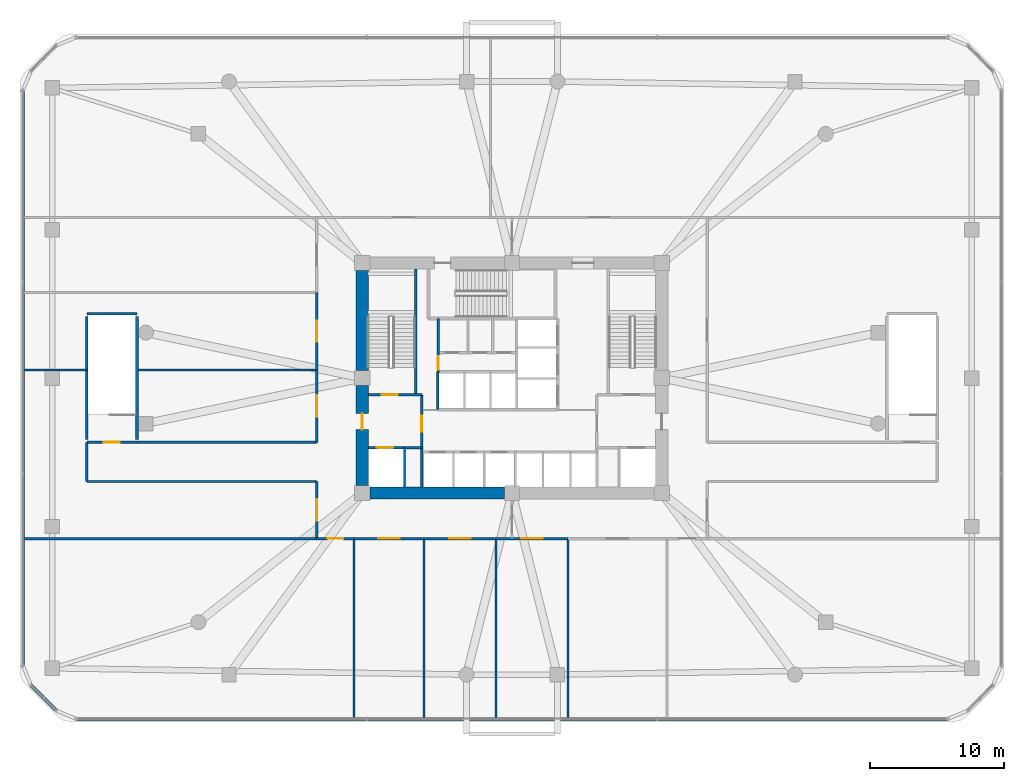
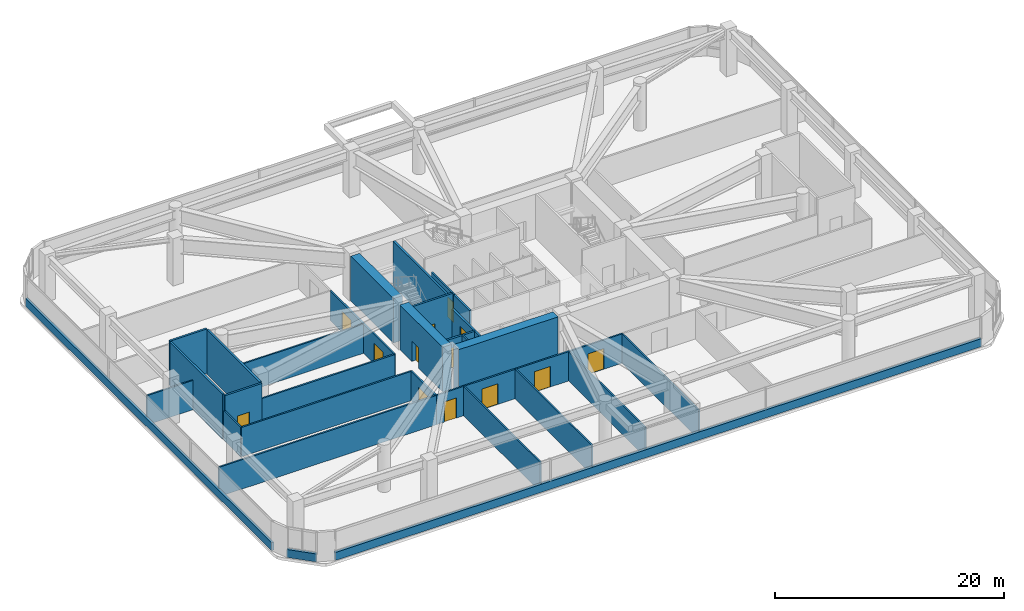
# One storey, part 16 of 21: 34 walls, 13 doors, 13 openings.
"""IFC4 building model written with IfcOpenShell, lengths in metres."""

import ifcopenshell
import ifcopenshell.guid

model = None  # the IFC model being written
_history = None  # IfcOwnerHistory: only IFC2X3 demands one
_inside = {}  # id of a spatial element -> (the spatial element, [elements in it])
_under = {}  # id of a project, library or spatial element -> (it, [spatial elements below it])
_declared = {}  # id of a project -> (the project, [libraries it declares])
_typed = {}  # id of a type object -> (the type object, [elements of that type])
_made_of = {}  # id of a material, layer set ... -> (it, [elements and type objects made of it])


def new_model(schema):
    """Start an empty IFC model of exactly this schema.

    Asked for "IFC4X3", IfcOpenShell would pick the latest addendum, in which some entities
    have other attributes; the version numbers below select the first issue.
    IFC2X3 requires an IfcOwnerHistory on every rooted entity: one is made here for all.
    """
    global model, _history
    if schema == "IFC4X3":
        model = ifcopenshell.file(schema_version=(4, 3, 0, 0))
    else:
        model = ifcopenshell.file(schema=schema)
    _inside.clear()
    _under.clear()
    _declared.clear()
    _typed.clear()
    _made_of.clear()
    _history = None
    if model.schema == "IFC2X3":
        org = make("IfcOrganization", Name="unknown")
        user = make(
            "IfcPersonAndOrganization",
            ThePerson=make("IfcPerson", FamilyName="unknown"),
            TheOrganization=org,
        )
        app = make(
            "IfcApplication",
            ApplicationDeveloper=org,
            Version="unknown",
            ApplicationFullName="unknown",
            ApplicationIdentifier="unknown",
        )
        _history = make(
            "IfcOwnerHistory",
            OwningUser=user,
            OwningApplication=app,
            ChangeAction="ADDED",
            CreationDate=0,
        )
    return model


def make(cls, **values):
    """One entity of the class cls with the attributes given. An attribute that is None is left unset."""
    return model.create_entity(
        cls, **{name: value for name, value in values.items() if value is not None}
    )


def rooted(cls, **values):
    """An entity with a GlobalId (a new one), such as an element, a storey or a relation."""
    return make(cls, GlobalId=ifcopenshell.guid.new(), OwnerHistory=_history, **values)


def si_unit(unit_type, name, prefix=None):
    """IfcSIUnit, for example si_unit("LENGTHUNIT", "METRE", prefix="MILLI")."""
    return make("IfcSIUnit", UnitType=unit_type, Prefix=prefix, Name=name)


def derived_unit(unit_type, elements):
    """IfcDerivedUnit: a product of units, each with its exponent."""
    return make(
        "IfcDerivedUnit",
        Elements=[
            make("IfcDerivedUnitElement", Unit=unit, Exponent=power)
            for unit, power in elements
        ],
        UnitType=unit_type,
    )


def assignment(units):
    """IfcUnitAssignment: the units of a project."""
    return None if units is None else make("IfcUnitAssignment", Units=units)


def point(xyz):
    """IfcCartesianPoint."""
    return None if xyz is None else make("IfcCartesianPoint", Coordinates=xyz)


def direction(xyz):
    """IfcDirection."""
    return None if xyz is None else make("IfcDirection", DirectionRatios=xyz)


def frame(location, z_axis=None, x_axis=None):
    """IfcAxis2Placement3D, a coordinate frame: its origin and axes. An axis left out is left unset."""
    return make(
        "IfcAxis2Placement3D",
        Location=point(location),
        Axis=direction(z_axis),
        RefDirection=direction(x_axis),
    )


def frame_2d(location, x_axis=None):
    """IfcAxis2Placement2D, a coordinate frame in the plane: its origin and x axis."""
    return make(
        "IfcAxis2Placement2D", Location=point(location), RefDirection=direction(x_axis)
    )


def origin():
    """The frame at (0, 0, 0) with its axes left unset."""
    return frame((0.0, 0.0, 0.0))


def place(relative_to, where):
    """IfcLocalPlacement: puts the frame where relative to a parent placement (None: the world)."""
    return make(
        "IfcLocalPlacement", PlacementRelTo=relative_to, RelativePlacement=where
    )


def context(
    kind, dimensions, precision=None, world=None, true_north=None, identifier=None
):
    """IfcGeometricRepresentationContext, for example the 3D "Model" context."""
    return make(
        "IfcGeometricRepresentationContext",
        ContextIdentifier=identifier,
        ContextType=kind,
        CoordinateSpaceDimension=dimensions,
        Precision=precision,
        WorldCoordinateSystem=world,
        TrueNorth=true_north,
    )


def subcontext(parent, identifier, kind, view, scale=None):
    """IfcGeometricRepresentationSubContext, for example "Body" below "Model"."""
    return make(
        "IfcGeometricRepresentationSubContext",
        ContextIdentifier=identifier,
        ContextType=kind,
        ParentContext=parent,
        TargetScale=scale,
        TargetView=view,
    )


def project(units=None, contexts=None):
    """IfcProject with its units and contexts."""
    return rooted(
        "IfcProject",
        Name="project",
        RepresentationContexts=contexts,
        UnitsInContext=assignment(units),
    )


def spatial(cls, under=None, at=None, **own):
    """A site, building, storey or space (cls), placed at a placement, below another one or the project."""
    s = rooted(cls, ObjectPlacement=at, **own)
    if under is not None:
        _under.setdefault(under.id(), (under, []))[1].append(s)
    return s


def profile(cls, at=None, kind="AREA", **sizes):
    """A parametric profile (cls). Its sizes go by their IFC names, for example OverallWidth=200.0."""
    return make(cls, ProfileType=kind, Position=at, **sizes)


def rectangle(**sizes):
    """IfcRectangleProfileDef."""
    return profile("IfcRectangleProfileDef", **sizes)


def extrude(swept, where, along, depth):
    """IfcExtrudedAreaSolid: the profile swept, set in the frame where, extruded along a direction by depth."""
    return make(
        "IfcExtrudedAreaSolid",
        SweptArea=swept,
        Position=where,
        ExtrudedDirection=direction(along),
        Depth=depth,
    )


def shape(context_of_items, identifier, shape_type, items):
    """IfcShapeRepresentation: the items that make up one representation, for example the "Body"."""
    return make(
        "IfcShapeRepresentation",
        ContextOfItems=context_of_items,
        RepresentationIdentifier=identifier,
        RepresentationType=shape_type,
        Items=items,
    )


def material(Name=None, Category=None):
    """IfcMaterial."""
    return make("IfcMaterial", Name=Name, Category=Category)


def layer(
    of_material, thickness, ventilated=None, Name=None, Category=None, Priority=None
):
    """IfcMaterialLayer: one layer of a wall or slab, of a material (None: an air gap)."""
    return make(
        "IfcMaterialLayer",
        Material=of_material,
        LayerThickness=thickness,
        IsVentilated=ventilated,
        Name=Name,
        Category=Category,
        Priority=Priority,
    )


def layer_set(layers, Name=None):
    """IfcMaterialLayerSet."""
    return make("IfcMaterialLayerSet", MaterialLayers=layers, LayerSetName=Name)


def made_of(thing, what):
    """Note that an element or type object is made of a material, layer set ...; save() writes the relation."""
    if what is not None:
        _made_of.setdefault(what.id(), (what, []))[1].append(thing)
    return thing


def type_object(cls, material=None, **own):
    """A type object (cls), such as IfcWallType, which elements share."""
    return made_of(rooted(cls, **own), material)


def element(
    cls,
    number,
    at=None,
    inside=None,
    cuts=None,
    type_object=None,
    material=None,
    context=None,
    identifier="Body",
    shape_type=None,
    held_by="IfcProductDefinitionShape",
    body=None,
    shapes=None,
    **own,
):
    """One element of the class cls, such as IfcWall. Its Tag is "e" and its number.

    at: its placement. inside: the storey or other place that contains it. cuts: it is an
    opening in that element (IfcRelVoidsElement). A single representation is given by context,
    identifier, shape_type and body (its items); several are given by shapes. held_by: the class
    of the entity that holds the representations. save() writes the other relations.
    """
    e = rooted(cls, Tag="e%d" % number, ObjectPlacement=at, **own)
    if body is not None:
        shapes = [shape(context, identifier, shape_type, body)]
    if shapes is not None:
        e.Representation = make(held_by, Representations=shapes)
    if inside is not None:
        _inside.setdefault(inside.id(), (inside, []))[1].append(e)
    if cuts is not None:
        rooted(
            "IfcRelVoidsElement", RelatingBuildingElement=cuts, RelatedOpeningElement=e
        )
    if type_object is not None:
        _typed.setdefault(type_object.id(), (type_object, []))[1].append(e)
    return made_of(e, material)


def fill(opening, filler):
    """IfcRelFillsElement: the door or window that sits in an opening."""
    return rooted(
        "IfcRelFillsElement",
        RelatingOpeningElement=opening,
        RelatedBuildingElement=filler,
    )


def aggregate(whole, parts):
    """IfcRelAggregates: a whole, such as a stair, and the parts it consists of."""
    return rooted("IfcRelAggregates", RelatingObject=whole, RelatedObjects=parts)


def save(model, path):
    """Write the relations noted so far, then the file.

    IfcRelAggregates (storeys below a building ...), IfcRelContainedInSpatialStructure (elements
    in a storey), IfcRelDefinesByType, IfcRelAssociatesMaterial and IfcRelDeclares: one each for
    every whole, place, type object, material and project.
    """
    for whole, parts in _under.values():
        aggregate(whole, parts)
    for where, things in _inside.values():
        rooted(
            "IfcRelContainedInSpatialStructure",
            RelatedElements=things,
            RelatingStructure=where,
        )
    for kind, things in _typed.values():
        rooted("IfcRelDefinesByType", RelatedObjects=things, RelatingType=kind)
    for what, things in _made_of.values():
        rooted("IfcRelAssociatesMaterial", RelatedObjects=things, RelatingMaterial=what)
    for by, libraries in _declared.values():
        rooted("IfcRelDeclares", RelatingContext=by, RelatedDefinitions=libraries)
    model.write(path)


model = new_model("IFC4")

# Units and contexts
model_context = context("Model", 3, precision=1e-05, world=origin(), true_north=direction((0.0, 1.0)))
body_context = subcontext(model_context, "Body", "Model", "MODEL_VIEW")
ifc_project = project(units=[si_unit("LENGTHUNIT", "METRE"), si_unit("AREAUNIT", "SQUARE_METRE"), si_unit("VOLUMEUNIT", "CUBIC_METRE"), si_unit("PLANEANGLEUNIT", "RADIAN"), si_unit("MASSUNIT", "GRAM", prefix="KILO"), derived_unit("THERMALTRANSMITTANCEUNIT", [(si_unit("POWERUNIT", "WATT"), 1), (si_unit("LENGTHUNIT", "METRE"), -2), (si_unit("THERMODYNAMICTEMPERATUREUNIT", "KELVIN"), -1)])], contexts=[model_context])

# Site, building, storey
site_placement = place(None, origin())
site = spatial("IfcSite", under=ifc_project, at=site_placement, CompositionType="ELEMENT")
building_placement = place(site_placement, origin())
building = spatial("IfcBuilding", under=site, at=building_placement, Name="Koralith Skygarden Medical Center", CompositionType="ELEMENT")
storey_placement = place(building_placement, frame((0.0, 0.0, 18.89990234375)))
storey = spatial("IfcBuildingStorey", under=building, at=storey_placement, Name="L04", CompositionType="ELEMENT", Elevation=18.89990234375)

# Walls
ifc_material_1 = material(Name="Gypsum Board Partition")
ifc_layer_1 = layer(ifc_material_1, 0.14990234375)
ifc_layer_set_1 = layer_set([ifc_layer_1], Name="Gypsum Board Partition")
wall_type_1 = type_object("IfcWallType", Name="Clinical Acoustic Partition 150", PredefinedType="PARTITIONING", material=ifc_layer_set_1)
for number, where, z_axis, x_axis, name in (
    (1, (25.199951171875, 0.43994140625, 0.0), (0.0, 0.0, 1.0), (0.0, 1.0, 0.0), "L04 Clinical Acoustic Partition 150 W-PDPART-L04-S-1"),
    (2, (30.39990234375, 0.43994140625, 0.0), (0.0, 0.0, 1.0), (0.0, 1.0, 0.0), "L04 Clinical Acoustic Partition 150 W-PDPART-L04-S-2"),
    (3, (35.800048828125, 0.43994140625, 0.0), (0.0, 0.0, 1.0), (0.0, 1.0, 0.0), "L04 Clinical Acoustic Partition 150 W-PDPART-L04-S-3"),
    (4, (41.199951171875, 0.43994140625, 0.0), (0.0, 0.0, 1.0), (0.0, 1.0, 0.0), "L04 Clinical Acoustic Partition 150 W-PDPART-L04-S-4"),
):
    element("IfcWall", number, at=place(storey_placement, frame(where, z_axis=z_axis, x_axis=x_axis)), inside=storey, type_object=wall_type_1, Name=name, PredefinedType="PARTITIONING", context=body_context, shape_type="SweptSolid", body=[
        extrude(rectangle(XDim=13.449951171875, YDim=0.14990234375, at=frame_2d((6.72509765625, 0.0))), origin(), (0.0, 0.0, 1.0), 3.130126953125),
    ])
wall_1_placement = place(storey_placement, frame((8.949951171875, 26.5, 0.0), z_axis=(0.0, 0.0, 1.0), x_axis=(1.0, 0.0, 0.0)))
element("IfcWall", 5, at=wall_1_placement, inside=storey, type_object=wall_type_1, Name="L04 Clinical Acoustic Partition 150 W-PDPART-L04-W-NA1", PredefinedType="PARTITIONING", context=body_context, shape_type="SweptSolid", body=[
    extrude(rectangle(XDim=13.43994140625, YDim=0.14990234375, at=frame_2d((6.719970703125, 0.0))), origin(), (0.0, 0.0, 1.0), 3.130126953125),
])
wall_2_placement = place(storey_placement, frame((5.199951171875, 26.5, 0.0), z_axis=(0.0, 0.0, 1.0), x_axis=(-1.0, 0.0, 0.0)))
element("IfcWall", 6, at=wall_2_placement, inside=storey, type_object=wall_type_1, Name="L04 Clinical Acoustic Partition 150 W-PDPART-L04-W-NB1", PredefinedType="PARTITIONING", context=body_context, shape_type="SweptSolid", body=[
    extrude(rectangle(XDim=4.760009765625, YDim=0.14990234375, at=frame_2d((2.3798828125, 0.0))), origin(), (0.0, 0.0, 1.0), 3.130126953125),
])
ifc_layer_2 = layer(ifc_material_1, 0.1650390625)
ifc_layer_set_2 = layer_set([ifc_layer_2], Name="Gypsum Board Partition")
wall_type_2 = type_object("IfcWallType", Name="Clinical Corridor Partition 165", PredefinedType="PARTITIONING", material=ifc_layer_set_2)
wall_3_placement = place(storey_placement, frame((0.43994140625, 13.889892578125, 0.0), z_axis=(0.0, 0.0, 1.0), x_axis=(1.0, 0.0, 0.0)))
element("IfcWall", 7, at=wall_3_placement, inside=storey, type_object=wall_type_2, Name="L04 Clinical Corridor Partition 165 W-WB-L04-SW", PredefinedType="PARTITIONING", context=body_context, shape_type="SweptSolid", body=[
    extrude(rectangle(XDim=21.949951171875, YDim=0.1650390625, at=frame_2d((10.97509765625, 0.0))), origin(), (0.0, 0.0, 1.0), 3.130126953125),
])
wall_4_placement = place(storey_placement, frame((5.199951171875, 18.169921875, 0.0), z_axis=(0.0, 0.0, 1.0), x_axis=(1.0, 0.0, 0.0)))
element("IfcWall", 8, at=wall_4_placement, inside=storey, type_object=wall_type_2, Name="L04 Clinical Corridor Partition 165 W-PARM-L04-WS", PredefinedType="PARTITIONING", context=body_context, shape_type="SweptSolid", body=[
    extrude(rectangle(XDim=17.18994140625, YDim=0.1650390625, at=frame_2d((8.594970703125, 0.0))), origin(), (0.0, 0.0, 1.0), 3.130126953125),
])
wall_5_placement = place(storey_placement, frame((5.199951171875, 18.169921875, 0.0), z_axis=(0.0, 0.0, 1.0), x_axis=(0.0, 1.0, 0.0)))
element("IfcWall", 9, at=wall_5_placement, inside=storey, type_object=wall_type_2, Name="L04 Clinical Corridor Partition 165 W-PARM-L04-WW", PredefinedType="PARTITIONING", context=body_context, shape_type="SweptSolid", body=[
    extrude(rectangle(XDim=2.93017578125, YDim=0.1650390625, at=frame_2d((1.465087890625, 0.0))), origin(), (0.0, 0.0, 1.0), 3.130126953125),
])
wall_6_placement = place(storey_placement, frame((8.949951171875, 21.10009765625, 0.0), z_axis=(0.0, 0.0, 1.0), x_axis=(1.0, 0.0, 0.0)))
element("IfcWall", 10, at=wall_6_placement, inside=storey, type_object=wall_type_2, Name="L04 Clinical Corridor Partition 165 W-PARM-L04-WN", PredefinedType="PARTITIONING", context=body_context, shape_type="SweptSolid", body=[
    extrude(rectangle(XDim=13.43994140625, YDim=0.1650390625, at=frame_2d((6.719970703125, 0.0))), origin(), (0.0, 0.0, 1.0), 3.130126953125),
])

# Wall, opening, door
wall_7_placement = place(storey_placement, frame((22.389892578125, 13.889892578125, 0.0), z_axis=(0.0, 0.0, 1.0), x_axis=(1.0, 0.0, 0.0)))
wall_7 = element("IfcWall", 11, at=wall_7_placement, inside=storey, type_object=wall_type_2, Name="L04 Clinical Corridor Partition 165 W-PDCOR-L04-S-1", PredefinedType="PARTITIONING", context=body_context, shape_type="SweptSolid", body=[
    extrude(rectangle(XDim=2.81005859375, YDim=0.1650390625, at=frame_2d((1.405029296875, 0.0))), origin(), (0.0, 0.0, 1.0), 3.130126953125),
])
opening_1_placement = place(wall_7_placement, frame((0.804931640625, 0.0, 0.0)))
opening_1 = element("IfcOpeningElement", 12, at=opening_1_placement, cuts=wall_7, Name="Opening D-CLN", PredefinedType="OPENING", context=body_context, shape_type="SweptSolid", body=[
    extrude(rectangle(XDim=1.199951171875, YDim=2.14990234375, at=frame_2d((0.60009765625, 1.074951171875))), frame((0.0, 0.092529296875, 0.0), z_axis=(0.0, -1.0, 0.0), x_axis=(1.0, 0.0, 0.0)), (0.0, 0.0, 1.0), 0.18505859375),
])
ifc_material_2 = material(Name="Aluminium 6063-T6", Category="aluminium")
door_type_1 = type_object("IfcDoorType", Name="Clinical Corridor Door D-CLN 1200", OperationType="NOTDEFINED", PredefinedType="DOOR", material=ifc_material_2)
door_1_placement = place(opening_1_placement, frame((1.199951171875, 0.0, 0.0), z_axis=(0.0, 0.0, 1.0), x_axis=(-1.0, 0.0, 0.0)))
door_1 = element("IfcDoor", 13, at=door_1_placement, inside=storey, type_object=door_type_1, Name="L04 General Surgical Operating Room 3 Door", OperationType="SINGLE_SWING_LEFT", OverallHeight=2.14990234375, OverallWidth=1.199951171875, PredefinedType="DOOR", context=body_context, shape_type="SweptSolid", body=[
    extrude(rectangle(XDim=1.199951171875, YDim=2.14990234375, at=frame_2d((0.60009765625, 1.074951171875))), frame((0.0, 0.02490234375, 0.0), z_axis=(0.0, -1.0, 0.0), x_axis=(1.0, 0.0, 0.0)), (0.0, 0.0, 1.0), 0.050048828125),
])
fill(opening_1, door_1)

wall_8_placement = place(storey_placement, frame((25.199951171875, 13.889892578125, 0.0), z_axis=(0.0, 0.0, 1.0), x_axis=(1.0, 0.0, 0.0)))
wall_8 = element("IfcWall", 14, at=wall_8_placement, inside=storey, type_object=wall_type_2, Name="L04 Clinical Corridor Partition 165 W-PDCOR-L04-S-2", PredefinedType="PARTITIONING", context=body_context, shape_type="SweptSolid", body=[
    extrude(rectangle(XDim=5.199951171875, YDim=0.1650390625, at=frame_2d((2.60009765625, 0.0))), origin(), (0.0, 0.0, 1.0), 3.130126953125),
])
opening_2_placement = place(wall_8_placement, frame((1.800048828125, 0.0, 0.0)))
opening_2 = element("IfcOpeningElement", 15, at=opening_2_placement, cuts=wall_8, Name="Opening D-DBL", PredefinedType="OPENING", context=body_context, shape_type="SweptSolid", body=[
    extrude(rectangle(XDim=1.60009765625, YDim=2.199951171875, at=frame_2d((0.800048828125, 1.10009765625))), frame((0.0, 0.092529296875, 0.0), z_axis=(0.0, -1.0, 0.0), x_axis=(1.0, 0.0, 0.0)), (0.0, 0.0, 1.0), 0.18505859375),
])
door_type_2 = type_object("IfcDoorType", Name="Double Clinical Suite Door D-DBL 1600", OperationType="NOTDEFINED", PredefinedType="DOOR", material=ifc_material_2)
door_2_placement = place(opening_2_placement, frame((1.60009765625, 0.0, 0.0), z_axis=(0.0, 0.0, 1.0), x_axis=(-1.0, 0.0, 0.0)))
door_2 = element("IfcDoor", 16, at=door_2_placement, inside=storey, type_object=door_type_2, Name="L04 Surgical Frozen-Section Pathology Store Door", OperationType="DOUBLE_DOOR_SINGLE_SWING", OverallHeight=2.199951171875, OverallWidth=1.60009765625, PredefinedType="DOOR", context=body_context, shape_type="SweptSolid", body=[
    extrude(rectangle(XDim=1.60009765625, YDim=2.199951171875, at=frame_2d((0.800048828125, 1.10009765625))), frame((0.0, 0.02490234375, 0.0), z_axis=(0.0, -1.0, 0.0), x_axis=(1.0, 0.0, 0.0)), (0.0, 0.0, 1.0), 0.050048828125),
])
fill(opening_2, door_2)

wall_9_placement = place(storey_placement, frame((30.39990234375, 13.889892578125, 0.0), z_axis=(0.0, 0.0, 1.0), x_axis=(1.0, 0.0, 0.0)))
wall_9 = element("IfcWall", 17, at=wall_9_placement, inside=storey, type_object=wall_type_2, Name="L04 Clinical Corridor Partition 165 W-PDCOR-L04-S-3", PredefinedType="PARTITIONING", context=body_context, shape_type="SweptSolid", body=[
    extrude(rectangle(XDim=5.400146484375, YDim=0.1650390625, at=frame_2d((2.7001953125, 0.0))), origin(), (0.0, 0.0, 1.0), 3.130126953125),
])
opening_3_placement = place(wall_9_placement, frame((1.89990234375, 0.0, 0.0)))
opening_3 = element("IfcOpeningElement", 18, at=opening_3_placement, cuts=wall_9, Name="Opening D-DBL", PredefinedType="OPENING", context=body_context, shape_type="SweptSolid", body=[
    extrude(rectangle(XDim=1.60009765625, YDim=2.199951171875, at=frame_2d((0.800048828125, 1.10009765625))), frame((0.0, 0.092529296875, 0.0), z_axis=(0.0, -1.0, 0.0), x_axis=(1.0, 0.0, 0.0)), (0.0, 0.0, 1.0), 0.18505859375),
])
door_3_placement = place(opening_3_placement, frame((1.60009765625, 0.0, 0.0), z_axis=(0.0, 0.0, 1.0), x_axis=(-1.0, 0.0, 0.0)))
door_3 = element("IfcDoor", 19, at=door_3_placement, inside=storey, type_object=door_type_2, Name="L04 Surgical Staff Nutrition Pantry Door", OperationType="DOUBLE_DOOR_SINGLE_SWING", OverallHeight=2.199951171875, OverallWidth=1.60009765625, PredefinedType="DOOR", context=body_context, shape_type="SweptSolid", body=[
    extrude(rectangle(XDim=1.60009765625, YDim=2.199951171875, at=frame_2d((0.800048828125, 1.10009765625))), frame((0.0, 0.02490234375, 0.0), z_axis=(0.0, -1.0, 0.0), x_axis=(1.0, 0.0, 0.0)), (0.0, 0.0, 1.0), 0.050048828125),
])
fill(opening_3, door_3)

wall_10_placement = place(storey_placement, frame((35.800048828125, 13.889892578125, 0.0), z_axis=(0.0, 0.0, 1.0), x_axis=(1.0, 0.0, 0.0)))
wall_10 = element("IfcWall", 20, at=wall_10_placement, inside=storey, type_object=wall_type_2, Name="L04 Clinical Corridor Partition 165 W-PDCOR-L04-S-4", PredefinedType="PARTITIONING", context=body_context, shape_type="SweptSolid", body=[
    extrude(rectangle(XDim=5.39990234375, YDim=0.1650390625, at=frame_2d((2.699951171875, 0.0))), origin(), (0.0, 0.0, 1.0), 3.130126953125),
])
opening_4_placement = place(wall_10_placement, frame((1.89990234375, 0.0, 0.0)))
opening_4 = element("IfcOpeningElement", 21, at=opening_4_placement, cuts=wall_10, Name="Opening D-DBL", PredefinedType="OPENING", context=body_context, shape_type="SweptSolid", body=[
    extrude(rectangle(XDim=1.60009765625, YDim=2.199951171875, at=frame_2d((0.800048828125, 1.10009765625))), frame((0.0, 0.092529296875, 0.0), z_axis=(0.0, -1.0, 0.0), x_axis=(1.0, 0.0, 0.0)), (0.0, 0.0, 1.0), 0.18505859375),
])
door_4_placement = place(opening_4_placement, frame((1.60009765625, 0.0, 0.0), z_axis=(0.0, 0.0, 1.0), x_axis=(-1.0, 0.0, 0.0)))
door_4 = element("IfcDoor", 22, at=door_4_placement, inside=storey, type_object=door_type_2, Name="L04 Staff Scrub and Accessible Restroom WC Door", OperationType="DOUBLE_DOOR_SINGLE_SWING", OverallHeight=2.199951171875, OverallWidth=1.60009765625, PredefinedType="DOOR", context=body_context, shape_type="SweptSolid", body=[
    extrude(rectangle(XDim=1.60009765625, YDim=2.199951171875, at=frame_2d((0.800048828125, 1.10009765625))), frame((0.0, 0.02490234375, 0.0), z_axis=(0.0, -1.0, 0.0), x_axis=(1.0, 0.0, 0.0)), (0.0, 0.0, 1.0), 0.050048828125),
])
fill(opening_4, door_4)

wall_11_placement = place(storey_placement, frame((22.389892578125, 13.889892578125, 0.0), z_axis=(0.0, 0.0, 1.0), x_axis=(0.0, 1.0, 0.0)))
wall_11 = element("IfcWall", 23, at=wall_11_placement, inside=storey, type_object=wall_type_2, Name="L04 Clinical Corridor Partition 165 W-PDCOR-L04-W-1", PredefinedType="PARTITIONING", context=body_context, shape_type="SweptSolid", body=[
    extrude(rectangle(XDim=4.280029296875, YDim=0.1650390625, at=frame_2d((2.14013671875, 0.0))), origin(), (0.0, 0.0, 1.0), 3.130126953125),
])
opening_5_placement = place(wall_11_placement, frame((1.340087890625, 0.0, 0.0)))
opening_5 = element("IfcOpeningElement", 24, at=opening_5_placement, cuts=wall_11, Name="Opening D-DBL", PredefinedType="OPENING", context=body_context, shape_type="SweptSolid", body=[
    extrude(rectangle(XDim=1.60009765625, YDim=2.199951171875, at=frame_2d((0.800048828125, 1.10009765625))), frame((0.0, 0.092529296875, 0.0), z_axis=(0.0, -1.0, 0.0), x_axis=(1.0, 0.0, 0.0)), (0.0, 0.0, 1.0), 0.18505859375),
])
door_5_placement = place(opening_5_placement, frame((1.60009765625, 0.0, 0.0), z_axis=(0.0, 0.0, 1.0), x_axis=(-1.0, 0.0, 0.0)))
door_5 = element("IfcDoor", 25, at=door_5_placement, inside=storey, type_object=door_type_2, Name="L04 General Surgical Operating Room 5 Door", OperationType="DOUBLE_DOOR_SINGLE_SWING", OverallHeight=2.199951171875, OverallWidth=1.60009765625, PredefinedType="DOOR", context=body_context, shape_type="SweptSolid", body=[
    extrude(rectangle(XDim=1.60009765625, YDim=2.199951171875, at=frame_2d((0.800048828125, 1.10009765625))), frame((0.0, 0.02490234375, 0.0), z_axis=(0.0, -1.0, 0.0), x_axis=(1.0, 0.0, 0.0)), (0.0, 0.0, 1.0), 0.050048828125),
])
fill(opening_5, door_5)

wall_12_placement = place(storey_placement, frame((22.389892578125, 21.10009765625, 0.0), z_axis=(0.0, 0.0, 1.0), x_axis=(0.0, 1.0, 0.0)))
wall_12 = element("IfcWall", 26, at=wall_12_placement, inside=storey, type_object=wall_type_2, Name="L04 Clinical Corridor Partition 165 W-PDCOR-L04-W-2", PredefinedType="PARTITIONING", context=body_context, shape_type="SweptSolid", body=[
    extrude(rectangle(XDim=5.39990234375, YDim=0.1650390625, at=frame_2d((2.699951171875, 0.0))), origin(), (0.0, 0.0, 1.0), 3.130126953125),
])
opening_6_placement = place(wall_12_placement, frame((1.89990234375, 0.0, 0.0)))
opening_6 = element("IfcOpeningElement", 27, at=opening_6_placement, cuts=wall_12, Name="Opening D-DBL", PredefinedType="OPENING", context=body_context, shape_type="SweptSolid", body=[
    extrude(rectangle(XDim=1.60009765625, YDim=2.199951171875, at=frame_2d((0.800048828125, 1.10009765625))), frame((0.0, 0.092529296875, 0.0), z_axis=(0.0, -1.0, 0.0), x_axis=(1.0, 0.0, 0.0)), (0.0, 0.0, 1.0), 0.18505859375),
])
door_6_placement = place(opening_6_placement, frame((1.60009765625, 0.0, 0.0), z_axis=(0.0, 0.0, 1.0), x_axis=(-1.0, 0.0, 0.0)))
door_6 = element("IfcDoor", 28, at=door_6_placement, inside=storey, type_object=door_type_2, Name="L04 Surgical Pre-Operative Holding Ward Door", OperationType="DOUBLE_DOOR_SINGLE_SWING", OverallHeight=2.199951171875, OverallWidth=1.60009765625, PredefinedType="DOOR", context=body_context, shape_type="SweptSolid", body=[
    extrude(rectangle(XDim=1.60009765625, YDim=2.199951171875, at=frame_2d((0.800048828125, 1.10009765625))), frame((0.0, 0.02490234375, 0.0), z_axis=(0.0, -1.0, 0.0), x_axis=(1.0, 0.0, 0.0)), (0.0, 0.0, 1.0), 0.050048828125),
])
fill(opening_6, door_6)

wall_13_placement = place(storey_placement, frame((22.389892578125, 26.5, 0.0), z_axis=(0.0, 0.0, 1.0), x_axis=(0.0, 1.0, 0.0)))
wall_13 = element("IfcWall", 29, at=wall_13_placement, inside=storey, type_object=wall_type_2, Name="L04 Clinical Corridor Partition 165 W-PDCOR-L04-W-3", PredefinedType="PARTITIONING", context=body_context, shape_type="SweptSolid", body=[
    extrude(rectangle(XDim=5.800048828125, YDim=0.1650390625, at=frame_2d((2.89990234375, 0.0))), origin(), (0.0, 0.0, 1.0), 3.130126953125),
])
opening_7_placement = place(wall_13_placement, frame((2.10009765625, 0.0, 0.0)))
opening_7 = element("IfcOpeningElement", 30, at=opening_7_placement, cuts=wall_13, Name="Opening D-DBL", PredefinedType="OPENING", context=body_context, shape_type="SweptSolid", body=[
    extrude(rectangle(XDim=1.60009765625, YDim=2.199951171875, at=frame_2d((0.800048828125, 1.10009765625))), frame((0.0, 0.092529296875, 0.0), z_axis=(0.0, -1.0, 0.0), x_axis=(1.0, 0.0, 0.0)), (0.0, 0.0, 1.0), 0.18505859375),
])
door_7_placement = place(opening_7_placement, frame((1.60009765625, 0.0, 0.0), z_axis=(0.0, 0.0, 1.0), x_axis=(-1.0, 0.0, 0.0)))
door_7 = element("IfcDoor", 31, at=door_7_placement, inside=storey, type_object=door_type_2, Name="L04 Anesthesia Equipment Store Door", OperationType="DOUBLE_DOOR_SINGLE_SWING", OverallHeight=2.199951171875, OverallWidth=1.60009765625, PredefinedType="DOOR", context=body_context, shape_type="SweptSolid", body=[
    extrude(rectangle(XDim=1.60009765625, YDim=2.199951171875, at=frame_2d((0.800048828125, 1.10009765625))), frame((0.0, 0.02490234375, 0.0), z_axis=(0.0, -1.0, 0.0), x_axis=(1.0, 0.0, 0.0)), (0.0, 0.0, 1.0), 0.050048828125),
])
fill(opening_7, door_7)

ifc_layer_3 = layer(ifc_material_1, 0.199951171875)
ifc_layer_set_3 = layer_set([ifc_layer_3], Name="Gypsum Board Partition")
wall_type_3 = type_object("IfcWallType", Name="Fire Shaft Wall 200", PredefinedType="SOLIDWALL", material=ifc_layer_set_3)
wall_14_placement = place(storey_placement, frame((26.25, 20.699951171875, 0.0), z_axis=(0.0, 0.0, 1.0), x_axis=(1.0, 0.0, 0.0)))
wall_14 = element("IfcWall", 32, at=wall_14_placement, inside=storey, type_object=wall_type_3, Name="L04 Fire Shaft Wall 200 W-CORE-L04-FF1-N", PredefinedType="SOLIDWALL", context=body_context, shape_type="SweptSolid", body=[
    extrude(rectangle(XDim=4.0, YDim=0.199951171875, at=frame_2d((2.0, 0.0))), origin(), (0.0, 0.0, 1.0), 3.130126953125),
])
opening_8_placement = place(wall_14_placement, frame((0.64990234375, 0.0, 0.0)))
opening_8 = element("IfcOpeningElement", 33, at=opening_8_placement, cuts=wall_14, Name="Opening LD-FF", PredefinedType="OPENING", context=body_context, shape_type="SweptSolid", body=[
    extrude(rectangle(XDim=1.199951171875, YDim=2.14990234375, at=frame_2d((0.60009765625, 1.074951171875))), frame((0.0, 0.10986328125, 0.0), z_axis=(0.0, -1.0, 0.0), x_axis=(1.0, 0.0, 0.0)), (0.0, 0.0, 1.0), 0.219970703125),
])
ifc_material_3 = material(Name="Steel ASTM A500 Grade C", Category="steel")
door_type_3 = type_object("IfcDoorType", Name="Fire Lift Sliding Landing Door LD-FF 1200", OperationType="NOTDEFINED", PredefinedType="DOOR", material=ifc_material_3)
door_8_placement = place(opening_8_placement, origin())
door_8 = element("IfcDoor", 34, at=door_8_placement, inside=storey, type_object=door_type_3, Name="L04 Fire Service Elevator FF1 Landing Door", OperationType="SLIDING_TO_LEFT", OverallHeight=2.14990234375, OverallWidth=1.199951171875, PredefinedType="DOOR", context=body_context, shape_type="SweptSolid", body=[
    extrude(rectangle(XDim=1.199951171875, YDim=2.14990234375, at=frame_2d((0.60009765625, 1.074951171875))), frame((0.0, 0.02490234375, 0.0), z_axis=(0.0, -1.0, 0.0), x_axis=(1.0, 0.0, 0.0)), (0.0, 0.0, 1.0), 0.050048828125),
])
fill(opening_8, door_8)

wall_15_placement = place(storey_placement, frame((30.25, 17.75, 0.0), z_axis=(0.0, 0.0, 1.0), x_axis=(0.0, 1.0, 0.0)))
wall_15 = element("IfcWall", 35, at=wall_15_placement, inside=storey, type_object=wall_type_3, Name="L04 Fire Shaft Wall 200 W-CORE-L04-FSAEW-E", PredefinedType="SOLIDWALL", context=body_context, shape_type="SweptSolid", body=[
    extrude(rectangle(XDim=6.89990234375, YDim=0.199951171875, at=frame_2d((3.449951171875, 0.0))), origin(), (0.0, 0.0, 1.0), 3.130126953125),
])
opening_9_placement = place(wall_15_placement, frame((4.14990234375, 0.0, 0.0)))
opening_9 = element("IfcOpeningElement", 36, at=opening_9_placement, cuts=wall_15, Name="Opening D-ST60", PredefinedType="OPENING", context=body_context, shape_type="SweptSolid", body=[
    extrude(rectangle(XDim=1.199951171875, YDim=2.14990234375, at=frame_2d((0.60009765625, 1.074951171875))), frame((0.0, 0.10986328125, 0.0), z_axis=(0.0, -1.0, 0.0), x_axis=(1.0, 0.0, 0.0)), (0.0, 0.0, 1.0), 0.219970703125),
])
door_type_4 = type_object("IfcDoorType", Name="Smokeproof Stair Fire Door FD60S 1200", OperationType="NOTDEFINED", PredefinedType="DOOR", material=ifc_material_3)
door_9_placement = place(opening_9_placement, origin())
door_9 = element("IfcDoor", 37, at=door_9_placement, inside=storey, type_object=door_type_4, Name="L04 West Firefighting Lobby Inner Fire Door", OperationType="SINGLE_SWING_LEFT", OverallHeight=2.14990234375, OverallWidth=1.199951171875, PredefinedType="DOOR", context=body_context, shape_type="SweptSolid", body=[
    extrude(rectangle(XDim=1.199951171875, YDim=2.14990234375, at=frame_2d((0.60009765625, 1.074951171875))), frame((0.0, 0.02490234375, 0.0), z_axis=(0.0, -1.0, 0.0), x_axis=(1.0, 0.0, 0.0)), (0.0, 0.0, 1.0), 0.050048828125),
])
fill(opening_9, door_9)

# Walls
wall_16_placement = place(storey_placement, frame((31.449951171875, 23.5400390625, 0.0), z_axis=(0.0, 0.0, 1.0), x_axis=(0.0, 1.0, 0.0)))
element("IfcWall", 38, at=wall_16_placement, inside=storey, type_object=wall_type_3, Name="L04 Fire Shaft Wall 200 W-CORE-L04-PH-W", PredefinedType="SOLIDWALL", context=body_context, shape_type="SweptSolid", body=[
    extrude(rectangle(XDim=2.81005859375, YDim=0.199951171875, at=frame_2d((1.405029296875, 0.0))), origin(), (0.0, 0.0, 1.0), 3.130126953125),
])
ifc_material_4 = material(Name="Warm Oolitic Limestone Cladding", Category="masonry")
ifc_layer_4 = layer(ifc_material_4, 0.239990234375)
ifc_layer_set_4 = layer_set([ifc_layer_4], Name="Warm Oolitic Limestone Cladding")
wall_type_4 = type_object("IfcWallType", Name="Limestone Spandrel Sill Backup Wall 240", PredefinedType="SOLIDWALL", material=ifc_layer_set_4)
wall_17_placement = place(storey_placement, frame((4.37890625, 0.419921875, 0.0), z_axis=(0.0, 0.0, 1.0), x_axis=(1.0, 0.0, 0.0)))
element("IfcWall", 39, at=wall_17_placement, inside=storey, type_object=wall_type_4, Name="L04 Sill Spandrel Wall S", PredefinedType="SOLIDWALL", context=body_context, shape_type="SweptSolid", body=[
    extrude(rectangle(XDim=65.2421875, YDim=0.239990234375, at=frame_2d((32.62109375, 0.0))), origin(), (0.0, 0.0, 1.0), 0.85009765625),
])
wall_18_placement = place(storey_placement, frame((0.419921875, 47.4208984375, 0.0), z_axis=(0.0, 0.0, 1.0), x_axis=(0.0, -1.0, 0.0)))
element("IfcWall", 40, at=wall_18_placement, inside=storey, type_object=wall_type_4, Name="L04 Sill Spandrel Wall W", PredefinedType="SOLIDWALL", context=body_context, shape_type="SweptSolid", body=[
    extrude(rectangle(XDim=43.0419921875, YDim=0.239990234375, at=frame_2d((21.52099609375, 0.0))), origin(), (0.0, 0.0, 1.0), 0.85009765625),
])
wall_19_placement = place(storey_placement, frame((1.02099609375, 2.927978515625, 0.0), z_axis=(0.0, 0.0, 1.0), x_axis=(0.707106781187, -0.707106781187, 0.0)))
element("IfcWall", 41, at=wall_19_placement, inside=storey, type_object=wall_type_4, Name="L04 Sill Spandrel Wall SW", PredefinedType="SOLIDWALL", context=body_context, shape_type="SweptSolid", body=[
    extrude(rectangle(XDim=2.69677734375, YDim=0.239990234375, at=frame_2d((1.348388671875, 0.0))), origin(), (0.0, 0.0, 1.0), 0.85009765625),
])
ifc_material_5 = material(Name="Concrete C70/85", Category="concrete")
ifc_layer_5 = layer(ifc_material_5, 0.89990234375)
ifc_layer_set_5 = layer_set([ifc_layer_5], Name="Concrete C70/85")
wall_type_5 = type_object("IfcWallType", Name="Lower Core Shear Wall 900", PredefinedType="SHEAR", material=ifc_layer_set_5)
wall_20_placement = place(storey_placement, frame((26.364990234375, 17.300048828125, 0.0), z_axis=(0.0, 0.0, 1.0), x_axis=(1.0, 0.0, 0.0)))
element("IfcWall", 42, at=wall_20_placement, inside=storey, type_object=wall_type_5, Name="L04 Core Shear Wall Segment 1", PredefinedType="SHEAR", context=body_context, shape_type="SweptSolid", body=[
    extrude(rectangle(XDim=10.070068359375, YDim=0.89990234375, at=frame_2d((5.03515625, 0.0))), origin(), (0.0, 0.0, 1.0), 4.760009765625),
])
wall_21_placement = place(storey_placement, frame((25.800048828125, 33.93505859375, 0.0), z_axis=(0.0, 0.0, 1.0), x_axis=(0.0, -1.0, 0.0)))
element("IfcWall", 43, at=wall_21_placement, inside=storey, type_object=wall_type_5, Name="L04 Core Shear Wall Segment 7", PredefinedType="SHEAR", context=body_context, shape_type="SweptSolid", body=[
    extrude(rectangle(XDim=7.469970703125, YDim=0.89990234375, at=frame_2d((3.73486328125, 0.0))), origin(), (0.0, 0.0, 1.0), 4.760009765625),
])

# Wall, opening, door
wall_22_placement = place(storey_placement, frame((25.800048828125, 25.3349609375, 0.0), z_axis=(0.0, 0.0, 1.0), x_axis=(0.0, -1.0, 0.0)))
wall_22 = element("IfcWall", 44, at=wall_22_placement, inside=storey, type_object=wall_type_5, Name="L04 Core Shear Wall Segment 8", PredefinedType="SHEAR", context=body_context, shape_type="SweptSolid", body=[
    extrude(rectangle(XDim=7.469970703125, YDim=0.89990234375, at=frame_2d((3.73486328125, 0.0))), origin(), (0.0, 0.0, 1.0), 4.760009765625),
])
opening_10_placement = place(wall_22_placement, frame((2.0849609375, 0.0, 0.0)))
opening_10 = element("IfcOpeningElement", 45, at=opening_10_placement, cuts=wall_22, Name="Opening D-ST60", PredefinedType="OPENING", context=body_context, shape_type="SweptSolid", body=[
    extrude(rectangle(XDim=1.199951171875, YDim=2.14990234375, at=frame_2d((0.60009765625, 1.074951171875))), frame((0.0, 0.4599609375, 0.0), z_axis=(0.0, -1.0, 0.0), x_axis=(1.0, 0.0, 0.0)), (0.0, 0.0, 1.0), 0.919921875),
])
door_10_placement = place(opening_10_placement, frame((1.199951171875, 0.0, 0.0), z_axis=(0.0, 0.0, 1.0), x_axis=(-1.0, 0.0, 0.0)))
door_10 = element("IfcDoor", 46, at=door_10_placement, inside=storey, type_object=door_type_4, Name="L04 West Corridor to Firefighting Lobby Door", OperationType="SINGLE_SWING_LEFT", OverallHeight=2.14990234375, OverallWidth=1.199951171875, PredefinedType="DOOR", context=body_context, shape_type="SweptSolid", body=[
    extrude(rectangle(XDim=1.199951171875, YDim=2.14990234375, at=frame_2d((0.60009765625, 1.074951171875))), frame((0.0, 0.02490234375, 0.0), z_axis=(0.0, -1.0, 0.0), x_axis=(1.0, 0.0, 0.0)), (0.0, 0.0, 1.0), 0.050048828125),
])
fill(opening_10, door_10)

ifc_layer_6 = layer(ifc_material_1, 0.1650390625)
ifc_layer_set_6 = layer_set([ifc_layer_6], Name="Gypsum Board Partition")
wall_type_6 = type_object("IfcWallType", Name="Plumbing Wet Wall 165", PredefinedType="PLUMBINGWALL", material=ifc_layer_set_6)
wall_23_placement = place(storey_placement, frame((31.47998046875, 26.320068359375, 0.0), z_axis=(0.0, 0.0, 1.0), x_axis=(0.0, 1.0, 0.0)))
wall_23 = element("IfcWall", 47, at=wall_23_placement, inside=storey, type_object=wall_type_6, Name="L04 Plumbing Wet Wall 165 W-CORE-L04-FLEX-W", PredefinedType="PLUMBINGWALL", context=body_context, shape_type="SweptSolid", body=[
    extrude(rectangle(XDim=4.0400390625, YDim=0.1650390625, at=frame_2d((2.02001953125, 0.0))), origin(), (0.0, 0.0, 1.0), 3.130126953125),
])
opening_11_placement = place(wall_23_placement, frame((0.219970703125, 0.0, 0.0)))
opening_11 = element("IfcOpeningElement", 48, at=opening_11_placement, cuts=wall_23, Name="Opening D-SUP", PredefinedType="OPENING", context=body_context, shape_type="SweptSolid", body=[
    extrude(rectangle(XDim=1.0, YDim=2.14990234375, at=frame_2d((0.5, 1.074951171875))), frame((0.0, 0.092529296875, 0.0), z_axis=(0.0, -1.0, 0.0), x_axis=(1.0, 0.0, 0.0)), (0.0, 0.0, 1.0), 0.18505859375),
])
door_type_5 = type_object("IfcDoorType", Name="Clinical Support Door D-SUP 1000", OperationType="NOTDEFINED", PredefinedType="DOOR", material=ifc_material_2)
door_11_placement = place(opening_11_placement, frame((1.0, 0.0, 0.0), z_axis=(0.0, 0.0, 1.0), x_axis=(-1.0, 0.0, 0.0)))
door_11 = element("IfcDoor", 49, at=door_11_placement, inside=storey, type_object=door_type_5, Name="L04 Core Service Alcove Door", OperationType="SINGLE_SWING_LEFT", OverallHeight=2.14990234375, OverallWidth=1.0, PredefinedType="DOOR", context=body_context, shape_type="SweptSolid", body=[
    extrude(rectangle(XDim=1.0, YDim=2.14990234375, at=frame_2d((0.5, 1.074951171875))), frame((0.0, 0.02490234375, 0.0), z_axis=(0.0, -1.0, 0.0), x_axis=(1.0, 0.0, 0.0)), (0.0, 0.0, 1.0), 0.050048828125),
])
fill(opening_11, door_11)

# Walls
ifc_layer_7 = layer(ifc_material_1, 0.14990234375)
ifc_layer_set_7 = layer_set([ifc_layer_7], Name="Gypsum Board Partition")
wall_type_7 = type_object("IfcWallType", Name="Shaft Partition Wall 150", PredefinedType="PARTITIONING", material=ifc_layer_set_7)
wall_24_placement = place(storey_placement, frame((28.969970703125, 17.75, 0.0), z_axis=(0.0, 0.0, 1.0), x_axis=(0.0, 1.0, 0.0)))
element("IfcWall", 50, at=wall_24_placement, inside=storey, type_object=wall_type_7, Name="L04 Shaft Partition Wall 150 W-CORE-L04-RSRW-DIV", PredefinedType="PARTITIONING", context=body_context, shape_type="SweptSolid", body=[
    extrude(rectangle(XDim=2.949951171875, YDim=0.14990234375, at=frame_2d((1.47509765625, 0.0))), origin(), (0.0, 0.0, 1.0), 3.130126953125),
])
ifc_material_6 = material(Name="Concrete C45/55", Category="concrete")
ifc_layer_8 = layer(ifc_material_6, 0.199951171875)
ifc_layer_set_8 = layer_set([ifc_layer_8], Name="Concrete C45/55")
wall_type_8 = type_object("IfcWallType", Name="Structural Stair Shaft Wall 200", PredefinedType="SHEAR", material=ifc_layer_set_8)
wall_25_placement = place(storey_placement, frame((29.800048828125, 24.64990234375, 0.0), z_axis=(0.0, 0.0, 1.0), x_axis=(0.0, 1.0, 0.0)))
element("IfcWall", 51, at=wall_25_placement, inside=storey, type_object=wall_type_8, Name="L04 Structural Stair Shaft Wall 200 W-CORE-L04-ST1-E", PredefinedType="SHEAR", context=body_context, shape_type="SweptSolid", body=[
    extrude(rectangle(XDim=9.400146484375, YDim=0.199951171875, at=frame_2d((4.7001953125, 0.0))), origin(), (0.0, 0.0, 1.0), 4.760009765625),
])

# Wall, opening, door
wall_26_placement = place(storey_placement, frame((26.25, 24.64990234375, 0.0), z_axis=(0.0, 0.0, 1.0), x_axis=(1.0, 0.0, 0.0)))
wall_26 = element("IfcWall", 52, at=wall_26_placement, inside=storey, type_object=wall_type_8, Name="L04 Structural Stair Shaft Wall 200 W-CORE-L04-ST1-S", PredefinedType="SHEAR", context=body_context, shape_type="SweptSolid", body=[
    extrude(rectangle(XDim=4.0, YDim=0.199951171875, at=frame_2d((2.0, 0.0))), origin(), (0.0, 0.0, 1.0), 4.760009765625),
])
opening_12_placement = place(wall_26_placement, frame((1.0, 0.0, 0.0)))
opening_12 = element("IfcOpeningElement", 53, at=opening_12_placement, cuts=wall_26, Name="Opening D-ST60", PredefinedType="OPENING", context=body_context, shape_type="SweptSolid", body=[
    extrude(rectangle(XDim=1.199951171875, YDim=2.14990234375, at=frame_2d((0.60009765625, 1.074951171875))), frame((0.0, 0.10986328125, 0.0), z_axis=(0.0, -1.0, 0.0), x_axis=(1.0, 0.0, 0.0)), (0.0, 0.0, 1.0), 0.219970703125),
])
door_12_placement = place(opening_12_placement, origin())
door_12 = element("IfcDoor", 54, at=door_12_placement, inside=storey, type_object=door_type_4, Name="L04 Exit Stair ST1 Fire Door", OperationType="SINGLE_SWING_LEFT", OverallHeight=2.14990234375, OverallWidth=1.199951171875, PredefinedType="DOOR", context=body_context, shape_type="SweptSolid", body=[
    extrude(rectangle(XDim=1.199951171875, YDim=2.14990234375, at=frame_2d((0.60009765625, 1.074951171875))), frame((0.0, 0.02490234375, 0.0), z_axis=(0.0, -1.0, 0.0), x_axis=(1.0, 0.0, 0.0)), (0.0, 0.0, 1.0), 0.050048828125),
])
fill(opening_12, door_12)

wall_27_placement = place(storey_placement, frame((5.199951171875, 21.10009765625, 0.0), z_axis=(0.0, 0.0, 1.0), x_axis=(1.0, 0.0, 0.0)))
wall_27 = element("IfcWall", 55, at=wall_27_placement, inside=storey, type_object=wall_type_8, Name="L04 Structural Stair Shaft Wall 200 W-ST4-L04-S", PredefinedType="SHEAR", context=body_context, shape_type="SweptSolid", body=[
    extrude(rectangle(XDim=3.75, YDim=0.199951171875, at=frame_2d((1.875, 0.0))), origin(), (0.0, 0.0, 1.0), 4.760009765625),
])
opening_13_placement = place(wall_27_placement, frame((1.25, 0.0, 0.0)))
opening_13 = element("IfcOpeningElement", 56, at=opening_13_placement, cuts=wall_27, Name="Opening D-ST60", PredefinedType="OPENING", context=body_context, shape_type="SweptSolid", body=[
    extrude(rectangle(XDim=1.199951171875, YDim=2.14990234375, at=frame_2d((0.60009765625, 1.074951171875))), frame((0.0, 0.10986328125, 0.0), z_axis=(0.0, -1.0, 0.0), x_axis=(1.0, 0.0, 0.0)), (0.0, 0.0, 1.0), 0.219970703125),
])
door_13_placement = place(opening_13_placement, origin())
door_13 = element("IfcDoor", 57, at=door_13_placement, inside=storey, type_object=door_type_4, Name="L04 Exit Stair ST4 Fire Door", OperationType="SINGLE_SWING_LEFT", OverallHeight=2.14990234375, OverallWidth=1.199951171875, PredefinedType="DOOR", context=body_context, shape_type="SweptSolid", body=[
    extrude(rectangle(XDim=1.199951171875, YDim=2.14990234375, at=frame_2d((0.60009765625, 1.074951171875))), frame((0.0, 0.02490234375, 0.0), z_axis=(0.0, -1.0, 0.0), x_axis=(1.0, 0.0, 0.0)), (0.0, 0.0, 1.0), 0.050048828125),
])
fill(opening_13, door_13)

# Walls
wall_28_placement = place(storey_placement, frame((5.199951171875, 30.699951171875, 0.0), z_axis=(0.0, 0.0, 1.0), x_axis=(1.0, 0.0, 0.0)))
element("IfcWall", 58, at=wall_28_placement, inside=storey, type_object=wall_type_8, Name="L04 Structural Stair Shaft Wall 200 W-ST4-L04-N", PredefinedType="SHEAR", context=body_context, shape_type="SweptSolid", body=[
    extrude(rectangle(XDim=3.75, YDim=0.199951171875, at=frame_2d((1.875, 0.0))), origin(), (0.0, 0.0, 1.0), 4.760009765625),
])
for number, where, z_axis, x_axis, name in (
    (59, (5.199951171875, 21.300048828125, 0.0), (0.0, 0.0, 1.0), (0.0, 1.0, 0.0), "L04 Structural Stair Shaft Wall 200 W-ST4-L04-W"),
    (60, (8.949951171875, 21.300048828125, 0.0), (0.0, 0.0, 1.0), (0.0, 1.0, 0.0), "L04 Structural Stair Shaft Wall 200 W-ST4-L04-E"),
):
    element("IfcWall", number, at=place(storey_placement, frame(where, z_axis=z_axis, x_axis=x_axis)), inside=storey, type_object=wall_type_8, Name=name, PredefinedType="SHEAR", context=body_context, shape_type="SweptSolid", body=[
        extrude(rectangle(XDim=9.199951171875, YDim=0.199951171875, at=frame_2d((4.60009765625, 0.0))), origin(), (0.0, 0.0, 1.0), 4.760009765625),
    ])

save(model, "model.ifc")
